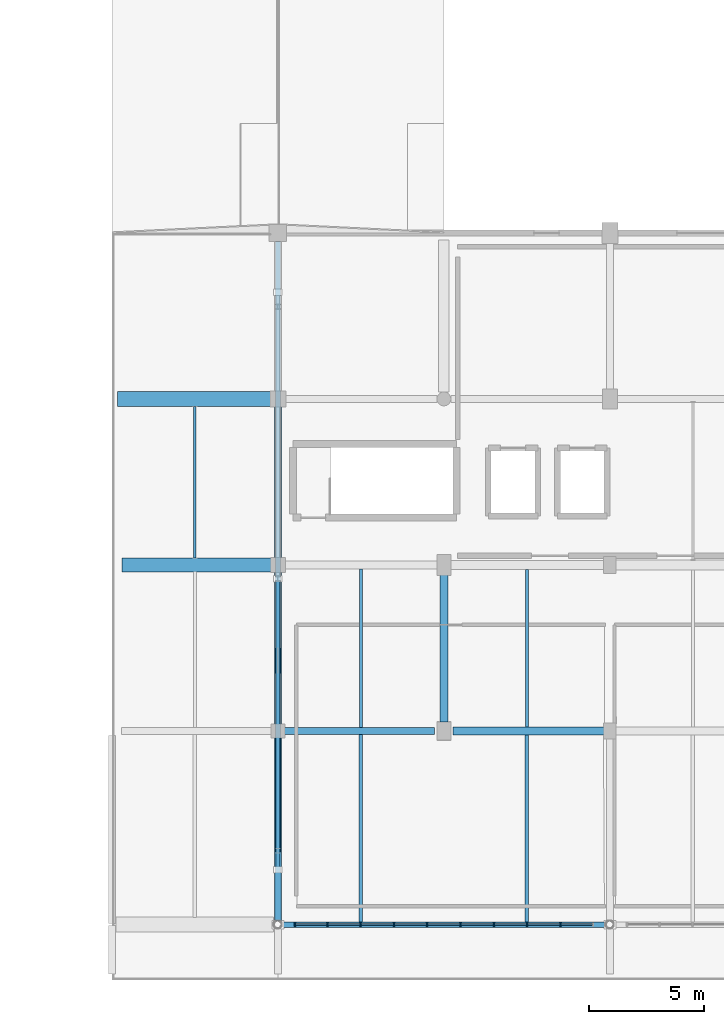
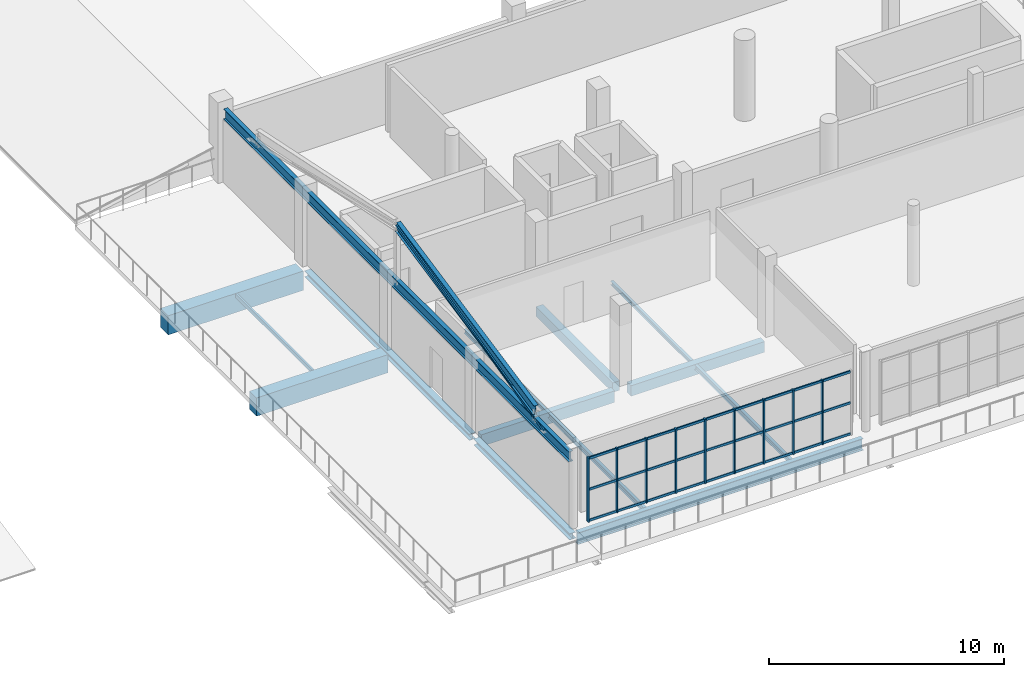
# One storey, part 5 of 41: 37 members, 15 beams, 1 element without a shape of its own.
"""IFC4 building model written with IfcOpenShell, lengths in metres."""

from ifc_helpers import new_model, si_unit, direction, frame, origin, origin_2d, place, context, subcontext, project, spatial, rectangle, hollow_rectangle, i_section, extrude, material, material_profile, profile_set, type_object, element, aggregate, save


model = new_model("IFC4")

# Units and contexts
model_context = context("Model", 3, precision=1e-05, world=origin(), true_north=direction((0.0, 1.0)))
body_context = subcontext(model_context, "Body", "Model", "MODEL_VIEW")
ifc_project = project(units=[si_unit("LENGTHUNIT", "METRE"), si_unit("AREAUNIT", "SQUARE_METRE"), si_unit("VOLUMEUNIT", "CUBIC_METRE"), si_unit("PLANEANGLEUNIT", "RADIAN"), si_unit("MASSUNIT", "GRAM", prefix="KILO")], contexts=[model_context])

# Site, building, storey
site_placement = place(None, origin())
site = spatial("IfcSite", under=ifc_project, at=site_placement, CompositionType="ELEMENT")
building_placement = place(site_placement, origin())
building = spatial("IfcBuilding", under=site, at=building_placement, Name="Solanera Park Tramway Depot", CompositionType="ELEMENT")
storey_placement = place(building_placement, frame((0.0, 0.0, 13.199951171875)))
storey = spatial("IfcBuildingStorey", under=building, at=storey_placement, Name="L03", CompositionType="ELEMENT", Elevation=13.199951171875)

# Curtain wall, members
ifc_material_1 = material(Name="Bronze-anodised thermally broken aluminium curtain wall", Category="aluminium")
curtain_wall_type = type_object("IfcCurtainWallType", Name="Cantilevered OCC Inclined Glazing Wall", PredefinedType="NOTDEFINED", material=ifc_material_1)
curtain_wall_placement = place(storey_placement, origin())
curtain_wall = element("IfcCurtainWall", 1, at=curtain_wall_placement, inside=storey, type_object=curtain_wall_type, Name="L03 Cantilevered OCC Inclined Glazing Wall #121", PredefinedType="NOTDEFINED")
ifc_material_2 = material(Name="Bronze-anodised structural aluminium 6063-T6", Category="aluminium")
ifc_material_profile_1 = material_profile(ifc_material_2, rectangle(XDim=0.06494140625, YDim=0.14990234375, at=origin_2d()), Name="Curtain Wall Mullion 65x150")
ifc_profile_set_1 = profile_set([ifc_material_profile_1], Name="Bronze-anodised structural aluminium 6063-T6")
member_type_1 = type_object("IfcMemberType", Name="Curtain Wall Mullion 65x150", PredefinedType="MULLION", material=ifc_profile_set_1)
member_1_placement = place(storey_placement, frame((115.9326171875, 2.39990234375, 0.0), z_axis=(0.0, 0.0, 1.0), x_axis=(1.0, 0.0, 0.0)))
member_1 = element("IfcMember", 2, at=member_1_placement, type_object=member_type_1, Name="CW-L03-121 Mullion 1", PredefinedType="MULLION", context=body_context, shape_type="SweptSolid", body=[
    extrude(rectangle(XDim=0.06494140625, YDim=0.14990234375, at=origin_2d()), origin(), (0.0, 0.0, 1.0), 3.35009765625),
])
member_2_placement = place(storey_placement, frame((117.344482421875, 2.39990234375, 0.0), z_axis=(0.0, 0.0, 1.0), x_axis=(1.0, 0.0, 0.0)))
member_2 = element("IfcMember", 3, at=member_2_placement, type_object=member_type_1, Name="CW-L03-121 Mullion 2", PredefinedType="MULLION", context=body_context, shape_type="SweptSolid", body=[
    extrude(rectangle(XDim=0.06494140625, YDim=0.14990234375, at=origin_2d()), origin(), (0.0, 0.0, 1.0), 3.35009765625),
])
member_3_placement = place(storey_placement, frame((118.788818359375, 2.39990234375, 0.0), z_axis=(0.0, 0.0, 1.0), x_axis=(1.0, 0.0, 0.0)))
member_3 = element("IfcMember", 4, at=member_3_placement, type_object=member_type_1, Name="CW-L03-121 Mullion 3", PredefinedType="MULLION", context=body_context, shape_type="SweptSolid", body=[
    extrude(rectangle(XDim=0.06494140625, YDim=0.14990234375, at=origin_2d()), origin(), (0.0, 0.0, 1.0), 3.35009765625),
])
member_4_placement = place(storey_placement, frame((120.2333984375, 2.39990234375, 0.0), z_axis=(0.0, 0.0, 1.0), x_axis=(1.0, 0.0, 0.0)))
member_4 = element("IfcMember", 5, at=member_4_placement, type_object=member_type_1, Name="CW-L03-121 Mullion 4", PredefinedType="MULLION", context=body_context, shape_type="SweptSolid", body=[
    extrude(rectangle(XDim=0.06494140625, YDim=0.14990234375, at=origin_2d()), origin(), (0.0, 0.0, 1.0), 3.35009765625),
])
member_5_placement = place(storey_placement, frame((121.677734375, 2.39990234375, 0.0), z_axis=(0.0, 0.0, 1.0), x_axis=(1.0, 0.0, 0.0)))
member_5 = element("IfcMember", 6, at=member_5_placement, type_object=member_type_1, Name="CW-L03-121 Mullion 5", PredefinedType="MULLION", context=body_context, shape_type="SweptSolid", body=[
    extrude(rectangle(XDim=0.06494140625, YDim=0.14990234375, at=origin_2d()), origin(), (0.0, 0.0, 1.0), 3.35009765625),
])
member_6_placement = place(storey_placement, frame((123.122314453125, 2.39990234375, 0.0), z_axis=(0.0, 0.0, 1.0), x_axis=(1.0, 0.0, 0.0)))
member_6 = element("IfcMember", 7, at=member_6_placement, type_object=member_type_1, Name="CW-L03-121 Mullion 6", PredefinedType="MULLION", context=body_context, shape_type="SweptSolid", body=[
    extrude(rectangle(XDim=0.06494140625, YDim=0.14990234375, at=origin_2d()), origin(), (0.0, 0.0, 1.0), 3.35009765625),
])
member_7_placement = place(storey_placement, frame((124.566650390625, 2.39990234375, 0.0), z_axis=(0.0, 0.0, 1.0), x_axis=(1.0, 0.0, 0.0)))
member_7 = element("IfcMember", 8, at=member_7_placement, type_object=member_type_1, Name="CW-L03-121 Mullion 7", PredefinedType="MULLION", context=body_context, shape_type="SweptSolid", body=[
    extrude(rectangle(XDim=0.06494140625, YDim=0.14990234375, at=origin_2d()), origin(), (0.0, 0.0, 1.0), 3.35009765625),
])
member_8_placement = place(storey_placement, frame((126.010986328125, 2.39990234375, 0.0), z_axis=(0.0, 0.0, 1.0), x_axis=(1.0, 0.0, 0.0)))
member_8 = element("IfcMember", 9, at=member_8_placement, type_object=member_type_1, Name="CW-L03-121 Mullion 8", PredefinedType="MULLION", context=body_context, shape_type="SweptSolid", body=[
    extrude(rectangle(XDim=0.06494140625, YDim=0.14990234375, at=origin_2d()), origin(), (0.0, 0.0, 1.0), 3.35009765625),
])
member_9_placement = place(storey_placement, frame((127.45556640625, 2.39990234375, 0.0), z_axis=(0.0, 0.0, 1.0), x_axis=(1.0, 0.0, 0.0)))
member_9 = element("IfcMember", 10, at=member_9_placement, type_object=member_type_1, Name="CW-L03-121 Mullion 9", PredefinedType="MULLION", context=body_context, shape_type="SweptSolid", body=[
    extrude(rectangle(XDim=0.06494140625, YDim=0.14990234375, at=origin_2d()), origin(), (0.0, 0.0, 1.0), 3.35009765625),
])
ifc_material_3 = material(Name="Bronze-anodised structural aluminium 6063-T6", Category="aluminium")
ifc_material_profile_2 = material_profile(ifc_material_3, rectangle(XDim=0.06494140625, YDim=0.1201171875, at=origin_2d()), Name="Curtain Wall Transom 65x120")
ifc_profile_set_2 = profile_set([ifc_material_profile_2], Name="Bronze-anodised structural aluminium 6063-T6")
member_type_2 = type_object("IfcMemberType", Name="Curtain Wall Transom 65x120", PredefinedType="USERDEFINED", material=ifc_profile_set_2)
member_10_placement = place(storey_placement, frame((115.96044921875, 2.39990234375, 0.06005859375), z_axis=(1.0, 0.0, 0.0), x_axis=(0.0, 1.0, 0.0)))
member_10 = element("IfcMember", 11, at=member_10_placement, type_object=member_type_2, Name="CW-L03-121 Transom R1.C1", ObjectType="TRANSOM", PredefinedType="USERDEFINED", context=body_context, shape_type="SweptSolid", body=[
    extrude(rectangle(XDim=0.06494140625, YDim=0.1201171875, at=origin_2d()), origin(), (0.0, 0.0, 1.0), 1.35595703125),
])
member_11_placement = place(storey_placement, frame((117.372314453125, 2.39990234375, 0.06005859375), z_axis=(1.0, 0.0, 0.0), x_axis=(0.0, 1.0, 0.0)))
member_11 = element("IfcMember", 12, at=member_11_placement, type_object=member_type_2, Name="CW-L03-121 Transom R1.C2", ObjectType="TRANSOM", PredefinedType="USERDEFINED", context=body_context, shape_type="SweptSolid", body=[
    extrude(rectangle(XDim=0.06494140625, YDim=0.1201171875, at=origin_2d()), origin(), (0.0, 0.0, 1.0), 1.388671875),
])
member_12_placement = place(storey_placement, frame((118.81689453125, 2.39990234375, 0.06005859375), z_axis=(1.0, 0.0, 0.0), x_axis=(0.0, 1.0, 0.0)))
member_12 = element("IfcMember", 13, at=member_12_placement, type_object=member_type_2, Name="CW-L03-121 Transom R1.C3", ObjectType="TRANSOM", PredefinedType="USERDEFINED", context=body_context, shape_type="SweptSolid", body=[
    extrude(rectangle(XDim=0.06494140625, YDim=0.1201171875, at=origin_2d()), origin(), (0.0, 0.0, 1.0), 1.388427734375),
])
member_13_placement = place(storey_placement, frame((120.26123046875, 2.39990234375, 0.06005859375), z_axis=(1.0, 0.0, 0.0), x_axis=(0.0, 1.0, 0.0)))
member_13 = element("IfcMember", 14, at=member_13_placement, type_object=member_type_2, Name="CW-L03-121 Transom R1.C4", ObjectType="TRANSOM", PredefinedType="USERDEFINED", context=body_context, shape_type="SweptSolid", body=[
    extrude(rectangle(XDim=0.06494140625, YDim=0.1201171875, at=origin_2d()), origin(), (0.0, 0.0, 1.0), 1.388671875),
])
member_14_placement = place(storey_placement, frame((121.705810546875, 2.39990234375, 0.06005859375), z_axis=(1.0, 0.0, 0.0), x_axis=(0.0, 1.0, 0.0)))
member_14 = element("IfcMember", 15, at=member_14_placement, type_object=member_type_2, Name="CW-L03-121 Transom R1.C5", ObjectType="TRANSOM", PredefinedType="USERDEFINED", context=body_context, shape_type="SweptSolid", body=[
    extrude(rectangle(XDim=0.06494140625, YDim=0.1201171875, at=origin_2d()), origin(), (0.0, 0.0, 1.0), 1.388427734375),
])
member_15_placement = place(storey_placement, frame((123.150146484375, 2.39990234375, 0.06005859375), z_axis=(1.0, 0.0, 0.0), x_axis=(0.0, 1.0, 0.0)))
member_15 = element("IfcMember", 16, at=member_15_placement, type_object=member_type_2, Name="CW-L03-121 Transom R1.C6", ObjectType="TRANSOM", PredefinedType="USERDEFINED", context=body_context, shape_type="SweptSolid", body=[
    extrude(rectangle(XDim=0.06494140625, YDim=0.1201171875, at=origin_2d()), origin(), (0.0, 0.0, 1.0), 1.388671875),
])
member_16_placement = place(storey_placement, frame((124.5947265625, 2.39990234375, 0.06005859375), z_axis=(1.0, 0.0, 0.0), x_axis=(0.0, 1.0, 0.0)))
member_16 = element("IfcMember", 17, at=member_16_placement, type_object=member_type_2, Name="CW-L03-121 Transom R1.C7", ObjectType="TRANSOM", PredefinedType="USERDEFINED", context=body_context, shape_type="SweptSolid", body=[
    extrude(rectangle(XDim=0.06494140625, YDim=0.1201171875, at=origin_2d()), origin(), (0.0, 0.0, 1.0), 1.388427734375),
])
member_17_placement = place(storey_placement, frame((126.0390625, 2.39990234375, 0.06005859375), z_axis=(1.0, 0.0, 0.0), x_axis=(0.0, 1.0, 0.0)))
member_17 = element("IfcMember", 18, at=member_17_placement, type_object=member_type_2, Name="CW-L03-121 Transom R1.C8", ObjectType="TRANSOM", PredefinedType="USERDEFINED", context=body_context, shape_type="SweptSolid", body=[
    extrude(rectangle(XDim=0.06494140625, YDim=0.1201171875, at=origin_2d()), origin(), (0.0, 0.0, 1.0), 1.388427734375),
])
member_18_placement = place(storey_placement, frame((127.483642578125, 2.39990234375, 0.06005859375), z_axis=(1.0, 0.0, 0.0), x_axis=(0.0, 1.0, 0.0)))
member_18 = element("IfcMember", 19, at=member_18_placement, type_object=member_type_2, Name="CW-L03-121 Transom R1.C9", ObjectType="TRANSOM", PredefinedType="USERDEFINED", context=body_context, shape_type="SweptSolid", body=[
    extrude(rectangle(XDim=0.06494140625, YDim=0.1201171875, at=origin_2d()), origin(), (0.0, 0.0, 1.0), 1.35595703125),
])
member_19_placement = place(storey_placement, frame((115.96044921875, 2.39990234375, 1.675048828125), z_axis=(1.0, 0.0, 0.0), x_axis=(0.0, 1.0, 0.0)))
member_19 = element("IfcMember", 20, at=member_19_placement, type_object=member_type_2, Name="CW-L03-121 Transom R2.C1", ObjectType="TRANSOM", PredefinedType="USERDEFINED", context=body_context, shape_type="SweptSolid", body=[
    extrude(rectangle(XDim=0.06494140625, YDim=0.1201171875, at=origin_2d()), origin(), (0.0, 0.0, 1.0), 1.35595703125),
])
member_20_placement = place(storey_placement, frame((117.372314453125, 2.39990234375, 1.675048828125), z_axis=(1.0, 0.0, 0.0), x_axis=(0.0, 1.0, 0.0)))
member_20 = element("IfcMember", 21, at=member_20_placement, type_object=member_type_2, Name="CW-L03-121 Transom R2.C2", ObjectType="TRANSOM", PredefinedType="USERDEFINED", context=body_context, shape_type="SweptSolid", body=[
    extrude(rectangle(XDim=0.06494140625, YDim=0.1201171875, at=origin_2d()), origin(), (0.0, 0.0, 1.0), 1.388671875),
])
member_21_placement = place(storey_placement, frame((118.81689453125, 2.39990234375, 1.675048828125), z_axis=(1.0, 0.0, 0.0), x_axis=(0.0, 1.0, 0.0)))
member_21 = element("IfcMember", 22, at=member_21_placement, type_object=member_type_2, Name="CW-L03-121 Transom R2.C3", ObjectType="TRANSOM", PredefinedType="USERDEFINED", context=body_context, shape_type="SweptSolid", body=[
    extrude(rectangle(XDim=0.06494140625, YDim=0.1201171875, at=origin_2d()), origin(), (0.0, 0.0, 1.0), 1.388427734375),
])
member_22_placement = place(storey_placement, frame((120.26123046875, 2.39990234375, 1.675048828125), z_axis=(1.0, 0.0, 0.0), x_axis=(0.0, 1.0, 0.0)))
member_22 = element("IfcMember", 23, at=member_22_placement, type_object=member_type_2, Name="CW-L03-121 Transom R2.C4", ObjectType="TRANSOM", PredefinedType="USERDEFINED", context=body_context, shape_type="SweptSolid", body=[
    extrude(rectangle(XDim=0.06494140625, YDim=0.1201171875, at=origin_2d()), origin(), (0.0, 0.0, 1.0), 1.388671875),
])
member_23_placement = place(storey_placement, frame((121.705810546875, 2.39990234375, 1.675048828125), z_axis=(1.0, 0.0, 0.0), x_axis=(0.0, 1.0, 0.0)))
member_23 = element("IfcMember", 24, at=member_23_placement, type_object=member_type_2, Name="CW-L03-121 Transom R2.C5", ObjectType="TRANSOM", PredefinedType="USERDEFINED", context=body_context, shape_type="SweptSolid", body=[
    extrude(rectangle(XDim=0.06494140625, YDim=0.1201171875, at=origin_2d()), origin(), (0.0, 0.0, 1.0), 1.388427734375),
])
member_24_placement = place(storey_placement, frame((123.150146484375, 2.39990234375, 1.675048828125), z_axis=(1.0, 0.0, 0.0), x_axis=(0.0, 1.0, 0.0)))
member_24 = element("IfcMember", 25, at=member_24_placement, type_object=member_type_2, Name="CW-L03-121 Transom R2.C6", ObjectType="TRANSOM", PredefinedType="USERDEFINED", context=body_context, shape_type="SweptSolid", body=[
    extrude(rectangle(XDim=0.06494140625, YDim=0.1201171875, at=origin_2d()), origin(), (0.0, 0.0, 1.0), 1.388671875),
])
member_25_placement = place(storey_placement, frame((124.5947265625, 2.39990234375, 1.675048828125), z_axis=(1.0, 0.0, 0.0), x_axis=(0.0, 1.0, 0.0)))
member_25 = element("IfcMember", 26, at=member_25_placement, type_object=member_type_2, Name="CW-L03-121 Transom R2.C7", ObjectType="TRANSOM", PredefinedType="USERDEFINED", context=body_context, shape_type="SweptSolid", body=[
    extrude(rectangle(XDim=0.06494140625, YDim=0.1201171875, at=origin_2d()), origin(), (0.0, 0.0, 1.0), 1.388427734375),
])
member_26_placement = place(storey_placement, frame((126.0390625, 2.39990234375, 1.675048828125), z_axis=(1.0, 0.0, 0.0), x_axis=(0.0, 1.0, 0.0)))
member_26 = element("IfcMember", 27, at=member_26_placement, type_object=member_type_2, Name="CW-L03-121 Transom R2.C8", ObjectType="TRANSOM", PredefinedType="USERDEFINED", context=body_context, shape_type="SweptSolid", body=[
    extrude(rectangle(XDim=0.06494140625, YDim=0.1201171875, at=origin_2d()), origin(), (0.0, 0.0, 1.0), 1.388427734375),
])
member_27_placement = place(storey_placement, frame((127.483642578125, 2.39990234375, 1.675048828125), z_axis=(1.0, 0.0, 0.0), x_axis=(0.0, 1.0, 0.0)))
member_27 = element("IfcMember", 28, at=member_27_placement, type_object=member_type_2, Name="CW-L03-121 Transom R2.C9", ObjectType="TRANSOM", PredefinedType="USERDEFINED", context=body_context, shape_type="SweptSolid", body=[
    extrude(rectangle(XDim=0.06494140625, YDim=0.1201171875, at=origin_2d()), origin(), (0.0, 0.0, 1.0), 1.35595703125),
])
member_28_placement = place(storey_placement, frame((115.96044921875, 2.39990234375, 3.2900390625), z_axis=(1.0, 0.0, 0.0), x_axis=(0.0, 1.0, 0.0)))
member_28 = element("IfcMember", 29, at=member_28_placement, type_object=member_type_2, Name="CW-L03-121 Transom R3.C1", ObjectType="TRANSOM", PredefinedType="USERDEFINED", context=body_context, shape_type="SweptSolid", body=[
    extrude(rectangle(XDim=0.06494140625, YDim=0.1201171875, at=origin_2d()), origin(), (0.0, 0.0, 1.0), 1.35595703125),
])
member_29_placement = place(storey_placement, frame((117.372314453125, 2.39990234375, 3.2900390625), z_axis=(1.0, 0.0, 0.0), x_axis=(0.0, 1.0, 0.0)))
member_29 = element("IfcMember", 30, at=member_29_placement, type_object=member_type_2, Name="CW-L03-121 Transom R3.C2", ObjectType="TRANSOM", PredefinedType="USERDEFINED", context=body_context, shape_type="SweptSolid", body=[
    extrude(rectangle(XDim=0.06494140625, YDim=0.1201171875, at=origin_2d()), origin(), (0.0, 0.0, 1.0), 1.388671875),
])
member_30_placement = place(storey_placement, frame((118.81689453125, 2.39990234375, 3.2900390625), z_axis=(1.0, 0.0, 0.0), x_axis=(0.0, 1.0, 0.0)))
member_30 = element("IfcMember", 31, at=member_30_placement, type_object=member_type_2, Name="CW-L03-121 Transom R3.C3", ObjectType="TRANSOM", PredefinedType="USERDEFINED", context=body_context, shape_type="SweptSolid", body=[
    extrude(rectangle(XDim=0.06494140625, YDim=0.1201171875, at=origin_2d()), origin(), (0.0, 0.0, 1.0), 1.388427734375),
])
member_31_placement = place(storey_placement, frame((120.26123046875, 2.39990234375, 3.2900390625), z_axis=(1.0, 0.0, 0.0), x_axis=(0.0, 1.0, 0.0)))
member_31 = element("IfcMember", 32, at=member_31_placement, type_object=member_type_2, Name="CW-L03-121 Transom R3.C4", ObjectType="TRANSOM", PredefinedType="USERDEFINED", context=body_context, shape_type="SweptSolid", body=[
    extrude(rectangle(XDim=0.06494140625, YDim=0.1201171875, at=origin_2d()), origin(), (0.0, 0.0, 1.0), 1.388671875),
])
member_32_placement = place(storey_placement, frame((121.705810546875, 2.39990234375, 3.2900390625), z_axis=(1.0, 0.0, 0.0), x_axis=(0.0, 1.0, 0.0)))
member_32 = element("IfcMember", 33, at=member_32_placement, type_object=member_type_2, Name="CW-L03-121 Transom R3.C5", ObjectType="TRANSOM", PredefinedType="USERDEFINED", context=body_context, shape_type="SweptSolid", body=[
    extrude(rectangle(XDim=0.06494140625, YDim=0.1201171875, at=origin_2d()), origin(), (0.0, 0.0, 1.0), 1.388427734375),
])
member_33_placement = place(storey_placement, frame((123.150146484375, 2.39990234375, 3.2900390625), z_axis=(1.0, 0.0, 0.0), x_axis=(0.0, 1.0, 0.0)))
member_33 = element("IfcMember", 34, at=member_33_placement, type_object=member_type_2, Name="CW-L03-121 Transom R3.C6", ObjectType="TRANSOM", PredefinedType="USERDEFINED", context=body_context, shape_type="SweptSolid", body=[
    extrude(rectangle(XDim=0.06494140625, YDim=0.1201171875, at=origin_2d()), origin(), (0.0, 0.0, 1.0), 1.388671875),
])
member_34_placement = place(storey_placement, frame((124.5947265625, 2.39990234375, 3.2900390625), z_axis=(1.0, 0.0, 0.0), x_axis=(0.0, 1.0, 0.0)))
member_34 = element("IfcMember", 35, at=member_34_placement, type_object=member_type_2, Name="CW-L03-121 Transom R3.C7", ObjectType="TRANSOM", PredefinedType="USERDEFINED", context=body_context, shape_type="SweptSolid", body=[
    extrude(rectangle(XDim=0.06494140625, YDim=0.1201171875, at=origin_2d()), origin(), (0.0, 0.0, 1.0), 1.388427734375),
])
member_35_placement = place(storey_placement, frame((126.0390625, 2.39990234375, 3.2900390625), z_axis=(1.0, 0.0, 0.0), x_axis=(0.0, 1.0, 0.0)))
member_35 = element("IfcMember", 36, at=member_35_placement, type_object=member_type_2, Name="CW-L03-121 Transom R3.C8", ObjectType="TRANSOM", PredefinedType="USERDEFINED", context=body_context, shape_type="SweptSolid", body=[
    extrude(rectangle(XDim=0.06494140625, YDim=0.1201171875, at=origin_2d()), origin(), (0.0, 0.0, 1.0), 1.388427734375),
])
member_36_placement = place(storey_placement, frame((127.483642578125, 2.39990234375, 3.2900390625), z_axis=(1.0, 0.0, 0.0), x_axis=(0.0, 1.0, 0.0)))
member_36 = element("IfcMember", 37, at=member_36_placement, type_object=member_type_2, Name="CW-L03-121 Transom R3.C9", ObjectType="TRANSOM", PredefinedType="USERDEFINED", context=body_context, shape_type="SweptSolid", body=[
    extrude(rectangle(XDim=0.06494140625, YDim=0.1201171875, at=origin_2d()), origin(), (0.0, 0.0, 1.0), 1.35595703125),
])
aggregate(curtain_wall, [member_1, member_2, member_3, member_4, member_5, member_6, member_7, member_8, member_9, member_10, member_11, member_12, member_13, member_14, member_15, member_16, member_17, member_18, member_19, member_20, member_21, member_22, member_23, member_24, member_25, member_26, member_27, member_28, member_29, member_30, member_31, member_32, member_33, member_34, member_35, member_36])

# Beams
ifc_material_4 = material(Name="Concrete N40 (C40/50)", Category="concrete")
ifc_material_profile_3 = material_profile(ifc_material_4, rectangle(XDim=0.300048828125, YDim=0.60009765625, at=origin_2d()), Name="RCB 300x600")
ifc_profile_set_3 = profile_set([ifc_material_profile_3], Name="Concrete N40 (C40/50)")
beam_type_1 = type_object("IfcBeamType", Name="RC Floor Beam RCB 300x600", PredefinedType="BEAM", material=ifc_profile_set_3)
beam_1_placement = place(storey_placement, frame((115.449951171875, 10.800048828125, -0.62890625), z_axis=(1.0, 0.0, 0.0), x_axis=(0.0, 1.0, 0.0)))
element("IfcBeam", 38, at=beam_1_placement, inside=storey, type_object=beam_type_1, Name="L03 Primary X-Girder RCB 300x600 #0203", PredefinedType="BEAM", context=body_context, shape_type="SweptSolid", body=[
    extrude(rectangle(XDim=0.300048828125, YDim=0.60009765625, at=origin_2d()), origin(), (0.0, 0.0, 1.0), 6.550048828125),
])
ifc_material_5 = material(Name="Concrete N40 (C40/50)", Category="concrete")
ifc_material_profile_4 = material_profile(ifc_material_5, rectangle(XDim=0.35009765625, YDim=0.5, at=origin_2d()), Name="RCB 350x500")
ifc_profile_set_4 = profile_set([ifc_material_profile_4], Name="Concrete N40 (C40/50)")
beam_type_2 = type_object("IfcBeamType", Name="RC Floor Beam RCB 350x500", PredefinedType="BEAM", material=ifc_profile_set_4)
beam_2_placement = place(storey_placement, frame((122.39990234375, 11.199951171875, -0.578857421875), z_axis=(0.0, 1.0, 0.0), x_axis=(-1.0, 0.0, 0.0)))
element("IfcBeam", 39, at=beam_2_placement, inside=storey, type_object=beam_type_2, Name="L03 Primary Y-Girder RCB 350x500 #0238", PredefinedType="BEAM", context=body_context, shape_type="SweptSolid", body=[
    extrude(rectangle(XDim=0.35009765625, YDim=0.5, at=origin_2d()), origin(), (0.0, 0.0, 1.0), 6.550048828125),
])
ifc_material_6 = material(Name="Concrete N40 (C40/50)", Category="concrete")
ifc_material_profile_5 = material_profile(ifc_material_6, rectangle(XDim=0.35009765625, YDim=0.550048828125, at=origin_2d()), Name="RCB 350x550")
ifc_profile_set_5 = profile_set([ifc_material_profile_5], Name="Concrete N40 (C40/50)")
beam_type_3 = type_object("IfcBeamType", Name="RC Floor Beam RCB 350x550", PredefinedType="BEAM", material=ifc_profile_set_5)
beam_3_placement = place(storey_placement, frame((122.800048828125, 10.800048828125, -0.60400390625), z_axis=(1.0, 0.0, 0.0), x_axis=(0.0, 1.0, 0.0)))
element("IfcBeam", 40, at=beam_3_placement, inside=storey, type_object=beam_type_3, Name="L03 Primary X-Girder RCB 350x550 #0204", PredefinedType="BEAM", context=body_context, shape_type="SweptSolid", body=[
    extrude(rectangle(XDim=0.35009765625, YDim=0.550048828125, at=origin_2d()), origin(), (0.0, 0.0, 1.0), 6.574951171875),
])
ifc_material_7 = material(Name="Concrete N40 (C40/50)", Category="concrete")
ifc_material_profile_6 = material_profile(ifc_material_7, rectangle(XDim=0.60009765625, YDim=0.949951171875, at=origin_2d()), Name="RCB 600x950")
ifc_profile_set_6 = profile_set([ifc_material_profile_6], Name="Concrete N40 (C40/50)")
beam_type_4 = type_object("IfcBeamType", Name="RC Floor Beam RCB 600x950", PredefinedType="BEAM", material=ifc_profile_set_6)
beam_4_placement = place(storey_placement, frame((108.449951171875, 18.0, -0.708984375), z_axis=(1.0, 0.0, 0.0), x_axis=(0.0, 1.0, 0.0)))
element("IfcBeam", 41, at=beam_4_placement, inside=storey, type_object=beam_type_4, Name="L03 Primary X-Girder RCB 600x950 #0213", PredefinedType="BEAM", context=body_context, shape_type="SweptSolid", body=[
    extrude(rectangle(XDim=0.60009765625, YDim=0.949951171875, at=origin_2d()), origin(), (0.0, 0.0, 1.0), 6.47509765625),
])
ifc_material_8 = material(Name="Concrete N40 (C40/50)", Category="concrete")
ifc_material_profile_7 = material_profile(ifc_material_8, rectangle(XDim=0.64990234375, YDim=1.0, at=origin_2d()), Name="RCB 650x1000")
ifc_profile_set_7 = profile_set([ifc_material_profile_7], Name="Concrete N40 (C40/50)")
beam_type_5 = type_object("IfcBeamType", Name="RC Floor Beam RCB 650x1000", PredefinedType="BEAM", material=ifc_profile_set_7)
beam_5_placement = place(storey_placement, frame((108.25, 25.199951171875, -0.73388671875), z_axis=(1.0, 0.0, 0.0), x_axis=(0.0, 1.0, 0.0)))
element("IfcBeam", 42, at=beam_5_placement, inside=storey, type_object=beam_type_5, Name="L03 Primary X-Girder RCB 650x1000 #0224", PredefinedType="BEAM", context=body_context, shape_type="SweptSolid", body=[
    extrude(rectangle(XDim=0.64990234375, YDim=1.0, at=origin_2d()), origin(), (0.0, 0.0, 1.0), 6.64990234375),
])
ifc_material_9 = material(Name="Steel AS/NZS 3679.1 Grade 350", Category="steel")
ifc_material_profile_8 = material_profile(ifc_material_9, i_section(OverallWidth=0.310546875, OverallDepth=0.3271484375, WebThickness=0.015625, FlangeThickness=0.02490234375, at=origin_2d()), Name="310UC158")
ifc_profile_set_8 = profile_set([ifc_material_profile_8], Name="Steel AS/NZS 3679.1 Grade 350")
beam_type_6 = type_object("IfcBeamType", Name="Steel Beam 310UC158", PredefinedType="BEAM", material=ifc_profile_set_8)
beam_6_placement = place(storey_placement, frame((115.199951171875, 2.43994140625, -0.52001953125), z_axis=(0.0, 1.0, 0.0), x_axis=(-1.0, 0.0, 0.0)))
element("IfcBeam", 43, at=beam_6_placement, inside=storey, type_object=beam_type_6, Name="L03 Transfer Truss Overhang Chord 310UC158 #0307", PredefinedType="BEAM", context=body_context, shape_type="SweptSolid", body=[
    extrude(i_section(OverallWidth=0.310546875, OverallDepth=0.3271484375, WebThickness=0.015625, FlangeThickness=0.02490234375, at=origin_2d()), origin(), (0.0, 0.0, 1.0), 8.16015625),
])
beam_7_placement = place(storey_placement, frame((115.199951171875, 10.97998046875, -0.52001953125), z_axis=(0.0, 1.0, 0.0), x_axis=(-1.0, 0.0, 0.0)))
element("IfcBeam", 44, at=beam_7_placement, inside=storey, type_object=beam_type_6, Name="L03 Transfer Truss Backspan Chord 310UC158 #0308", PredefinedType="BEAM", context=body_context, shape_type="SweptSolid", body=[
    extrude(i_section(OverallWidth=0.310546875, OverallDepth=0.3271484375, WebThickness=0.015625, FlangeThickness=0.02490234375, at=origin_2d()), origin(), (0.0, 0.0, 1.0), 14.0400390625),
])
ifc_material_10 = material(Name="Steel AS/NZS 3679.1 Grade 350", Category="steel")
ifc_material_profile_9 = material_profile(ifc_material_10, i_section(OverallWidth=0.209228515625, OverallDepth=0.532958984375, WebThickness=0.01025390625, FlangeThickness=0.015625, at=origin_2d()), Name="530UB92.4")
ifc_profile_set_9 = profile_set([ifc_material_profile_9], Name="Steel AS/NZS 3679.1 Grade 350")
beam_type_7 = type_object("IfcBeamType", Name="Steel Beam 530UB92.4", PredefinedType="BEAM", material=ifc_profile_set_9)
beam_8_placement = place(storey_placement, frame((115.199951171875, 2.580078125, 3.533447265625), z_axis=(0.0, 1.0, 0.0), x_axis=(-1.0, 0.0, 0.0)))
element("IfcBeam", 45, at=beam_8_placement, inside=storey, type_object=beam_type_7, Name="L03 Hip ROOF TRUSS Tie 530UB92.4 #1065", PredefinedType="BEAM", context=body_context, shape_type="SweptSolid", body=[
    extrude(i_section(OverallWidth=0.209228515625, OverallDepth=0.532958984375, WebThickness=0.01025390625, FlangeThickness=0.015625, at=origin_2d()), origin(), (0.0, 0.0, 1.0), 29.44482421875),
])
beam_9_placement = place(storey_placement, frame((115.199951171875, 5.60009765625, 4.12646484375), z_axis=(0.0, 0.979009373351, 0.20381522733), x_axis=(-1.0, 0.0, 0.0)))
element("IfcBeam", 46, at=beam_9_placement, inside=storey, type_object=beam_type_7, Name="L03 Hip ROOF TRUSS Rafter 530UB92.4 #1066", PredefinedType="BEAM", context=body_context, shape_type="SweptSolid", body=[
    extrude(i_section(OverallWidth=0.209228515625, OverallDepth=0.532958984375, WebThickness=0.01025390625, FlangeThickness=0.015625, at=origin_2d()), origin(), (0.0, 0.0, 1.0), 11.99169921875),
])
ifc_material_11 = material(Name="Steel AS/NZS 3679.1 Grade 350", Category="steel")
ifc_material_profile_10 = material_profile(ifc_material_11, i_section(OverallWidth=0.22900390625, OverallDepth=0.611572265625, WebThickness=0.011962890625, FlangeThickness=0.01953125, at=origin_2d()), Name="610UB125")
ifc_profile_set_10 = profile_set([ifc_material_profile_10], Name="Steel AS/NZS 3679.1 Grade 350")
beam_type_8 = type_object("IfcBeamType", Name="Steel Beam 610UB125", PredefinedType="BEAM", material=ifc_profile_set_10)
beam_10_placement = place(storey_placement, frame((115.3798828125, 2.39990234375, -0.635986328125), z_axis=(1.0, 0.0, 0.0), x_axis=(0.0, 1.0, 0.0)))
element("IfcBeam", 47, at=beam_10_placement, inside=storey, type_object=beam_type_8, Name="L03 Head-Block Upper Tie Girder 610UB125 #0356", PredefinedType="BEAM", context=body_context, shape_type="SweptSolid", body=[
    extrude(i_section(OverallWidth=0.22900390625, OverallDepth=0.611572265625, WebThickness=0.011962890625, FlangeThickness=0.01953125, at=origin_2d()), origin(), (0.0, 0.0, 1.0), 14.0400390625),
])
ifc_material_12 = material(Name="Steel AS/NZS 3679.1 Grade 350", Category="steel")
ifc_material_profile_11 = material_profile(ifc_material_12, i_section(OverallWidth=0.13330078125, OverallDepth=0.203125, WebThickness=0.005859375, FlangeThickness=0.0078125, at=origin_2d()), Name="200UB25.4")
ifc_profile_set_11 = profile_set([ifc_material_profile_11], Name="Steel AS/NZS 3679.1 Grade 350")
beam_type_9 = type_object("IfcBeamType", Name="Steel Joist Purlin 200UB25.4", PredefinedType="JOIST", material=ifc_profile_set_11)
beam_11_placement = place(storey_placement, frame((118.800048828125, 10.94189453125, -0.4306640625), z_axis=(0.0, 1.0, 0.0), x_axis=(-1.0, 0.0, 0.0)))
element("IfcBeam", 48, at=beam_11_placement, inside=storey, type_object=beam_type_9, Name="L03 Secondary Floor Joist 200UB25.4 #0262", PredefinedType="JOIST", context=body_context, shape_type="SweptSolid", body=[
    extrude(i_section(OverallWidth=0.13330078125, OverallDepth=0.203125, WebThickness=0.005859375, FlangeThickness=0.0078125, at=origin_2d()), origin(), (0.0, 0.0, 1.0), 6.89111328125),
])
beam_12_placement = place(storey_placement, frame((126.0, 10.967041015625, -0.4306640625), z_axis=(0.0, 1.0, 0.0), x_axis=(-1.0, 0.0, 0.0)))
element("IfcBeam", 49, at=beam_12_placement, inside=storey, type_object=beam_type_9, Name="L03 Secondary Floor Joist 200UB25.4 #0263", PredefinedType="JOIST", context=body_context, shape_type="SweptSolid", body=[
    extrude(i_section(OverallWidth=0.13330078125, OverallDepth=0.203125, WebThickness=0.005859375, FlangeThickness=0.0078125, at=origin_2d()), origin(), (0.0, 0.0, 1.0), 6.841064453125),
])
ifc_material_13 = material(Name="Steel AS/NZS 1163 Grade C350L0", Category="steel")
ifc_material_profile_12 = material_profile(ifc_material_13, hollow_rectangle(XDim=0.10009765625, YDim=0.199951171875, WallThickness=0.006103515625, at=origin_2d()), Name="200x100x6.0 RHS")
ifc_profile_set_12 = profile_set([ifc_material_profile_12], Name="Steel AS/NZS 1163 Grade C350L0")
beam_type_10 = type_object("IfcBeamType", Name="Steel Joist Purlin 200x100x6.0 RHS", PredefinedType="JOIST", material=ifc_profile_set_12)
beam_13_placement = place(storey_placement, frame((111.60009765625, 18.2919921875, -0.333984375), z_axis=(0.0, 1.0, 0.0), x_axis=(-1.0, 0.0, 0.0)))
element("IfcBeam", 50, at=beam_13_placement, inside=storey, type_object=beam_type_10, Name="L03 Secondary Floor Joist 200x100x6.0 RHS #0272", PredefinedType="JOIST", context=body_context, shape_type="SweptSolid", body=[
    extrude(hollow_rectangle(XDim=0.10009765625, YDim=0.199951171875, WallThickness=0.006103515625, at=origin_2d()), origin(), (0.0, 0.0, 1.0), 6.591064453125),
])
ifc_material_14 = material(Name="Steel AS/NZS 3679.1 Grade 350", Category="steel")
ifc_material_profile_13 = material_profile(ifc_material_14, i_section(OverallWidth=0.14599609375, OverallDepth=0.251708984375, WebThickness=0.006103515625, FlangeThickness=0.008544921875, at=origin_2d()), Name="250UB31.4")
ifc_profile_set_13 = profile_set([ifc_material_profile_13], Name="Steel AS/NZS 3679.1 Grade 350")
beam_type_11 = type_object("IfcBeamType", Name="Steel Joist Purlin 250UB31.4", PredefinedType="JOIST", material=ifc_profile_set_13)
beam_14_placement = place(storey_placement, frame((118.800048828125, 2.506591796875, -0.454833984375), z_axis=(0.0, 1.0, 0.0), x_axis=(-1.0, 0.0, 0.0)))
element("IfcBeam", 51, at=beam_14_placement, inside=storey, type_object=beam_type_11, Name="L03 Secondary Floor Joist 250UB31.4 #0251", PredefinedType="JOIST", context=body_context, shape_type="SweptSolid", body=[
    extrude(i_section(OverallWidth=0.14599609375, OverallDepth=0.251708984375, WebThickness=0.006103515625, FlangeThickness=0.008544921875, at=origin_2d()), origin(), (0.0, 0.0, 1.0), 8.1513671875),
])
beam_15_placement = place(storey_placement, frame((126.0, 2.506591796875, -0.454833984375), z_axis=(0.0, 1.0, 0.0), x_axis=(-1.0, 0.0, 0.0)))
element("IfcBeam", 52, at=beam_15_placement, inside=storey, type_object=beam_type_11, Name="L03 Secondary Floor Joist 250UB31.4 #0252", PredefinedType="JOIST", context=body_context, shape_type="SweptSolid", body=[
    extrude(i_section(OverallWidth=0.14599609375, OverallDepth=0.251708984375, WebThickness=0.006103515625, FlangeThickness=0.008544921875, at=origin_2d()), origin(), (0.0, 0.0, 1.0), 8.12646484375),
])

# Member
ifc_material_15 = material(Name="Steel AS/NZS 1163 Grade C350L0", Category="steel")
ifc_material_profile_14 = material_profile(ifc_material_15, hollow_rectangle(XDim=0.14990234375, YDim=0.14990234375, WallThickness=0.006103515625, at=origin_2d()), Name="150x150x6.0 SHS")
ifc_profile_set_14 = profile_set([ifc_material_profile_14], Name="Steel AS/NZS 1163 Grade C350L0")
member_type_3 = type_object("IfcMemberType", Name="Truss and Frame Brace 150x150x6.0 SHS", PredefinedType="BRACE", material=ifc_profile_set_14)
member_37_placement = place(storey_placement, frame((115.199951171875, 4.780029296875, 3.533447265625), z_axis=(0.0, 0.972241309091, 0.233980419901), x_axis=(-1.0, 0.0, 0.0)))
element("IfcMember", 53, at=member_37_placement, inside=storey, type_object=member_type_3, Name="Hip ROOF TRUSS Web #0451", PredefinedType="BRACE", context=body_context, shape_type="SweptSolid", body=[
    extrude(hollow_rectangle(XDim=0.14990234375, YDim=0.14990234375, WallThickness=0.006103515625, at=origin_2d()), origin(), (0.0, 0.0, 1.0), 12.980224609375),
])

save(model, "model.ifc")
